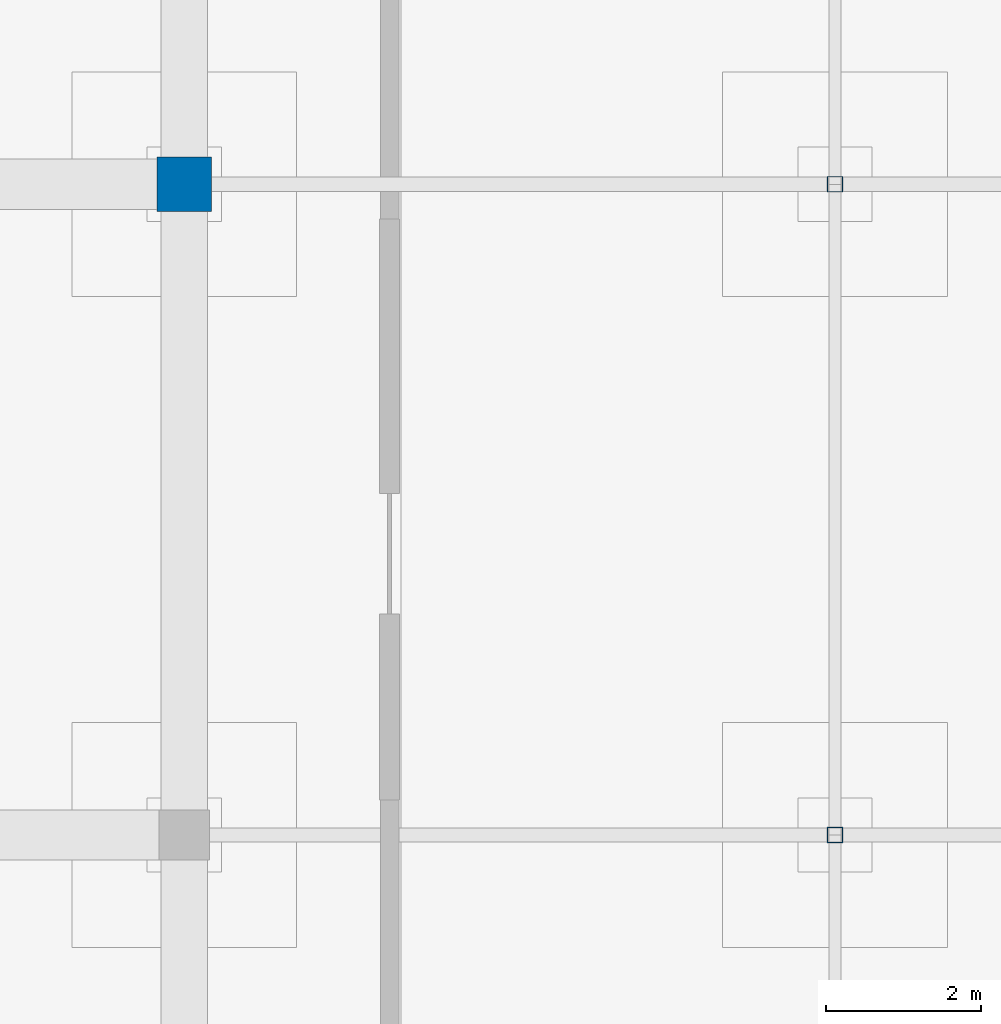
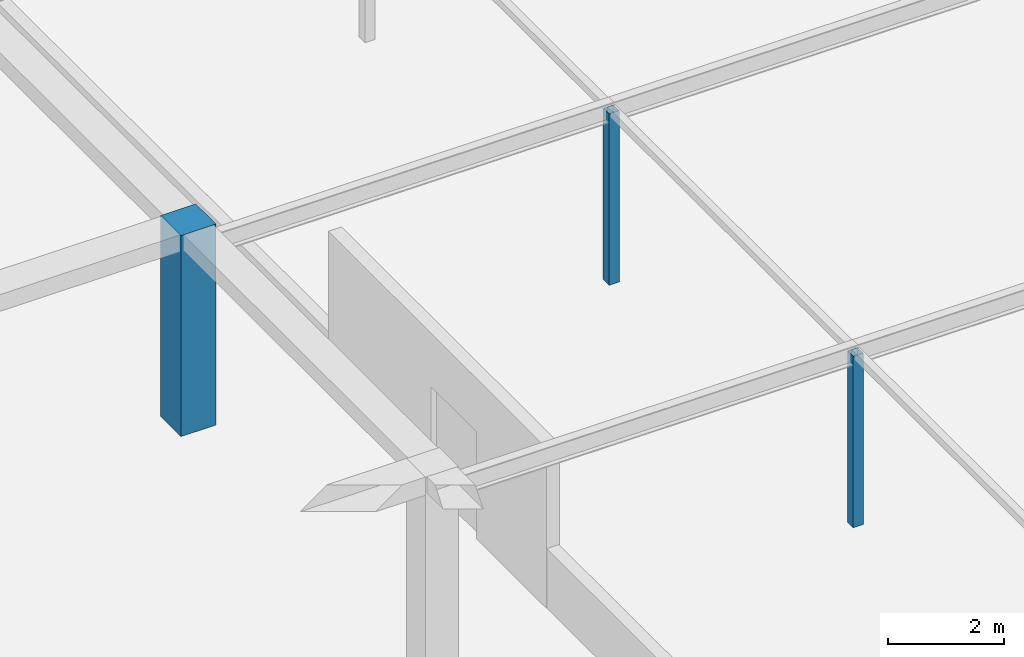
# One storey, part 4 of 85: 3 columns.
"""IFC4 building model written with IfcOpenShell, lengths in metres."""

from ifc_helpers import new_model, si_unit, direction, frame, origin, origin_2d, place, context, subcontext, project, spatial, rectangle, hollow_rectangle, extrude, material, material_profile, profile_set, type_object, element, save


model = new_model("IFC4")

# Units and contexts
model_context = context("Model", 3, precision=1e-05, world=origin(), true_north=direction((0.0, 1.0)))
body_context = subcontext(model_context, "Body", "Model", "MODEL_VIEW")
ifc_project = project(units=[si_unit("LENGTHUNIT", "METRE"), si_unit("AREAUNIT", "SQUARE_METRE"), si_unit("VOLUMEUNIT", "CUBIC_METRE"), si_unit("PLANEANGLEUNIT", "RADIAN"), si_unit("MASSUNIT", "GRAM", prefix="KILO")], contexts=[model_context])

# Site, building, storey
site_placement = place(None, origin())
site = spatial("IfcSite", under=ifc_project, at=site_placement, CompositionType="ELEMENT")
building_placement = place(site_placement, origin())
building = spatial("IfcBuilding", under=site, at=building_placement, Name="Almacenes y Pasaje Nevantli", CompositionType="ELEMENT")
storey_placement = place(building_placement, frame((0.0, 0.0, 22.199951171875)))
storey = spatial("IfcBuildingStorey", under=building, at=storey_placement, Name="L05", CompositionType="ELEMENT", Elevation=22.199951171875)

# Columns
ifc_material_1 = material(Name="Concrete C45/55", Category="concrete")
ifc_material_profile_1 = material_profile(ifc_material_1, rectangle(XDim=0.699951171875, YDim=0.699951171875, at=origin_2d()), Name="RC-COL-700x700")
ifc_profile_set_1 = profile_set([ifc_material_profile_1], Name="Concrete C45/55")
column_type_1 = type_object("IfcColumnType", Name="COL-RC-700", PredefinedType="COLUMN", material=ifc_profile_set_1)
column_placement = place(storey_placement, frame((109.199951171875, 42.0, 0.0), z_axis=(0.0, 0.0, 1.0), x_axis=(1.0, 0.0, 0.0)))
element("IfcColumn", 1, at=column_placement, inside=storey, type_object=column_type_1, Name="L05 Reinforced Concrete Column CL-06 #1951", PredefinedType="COLUMN", context=body_context, shape_type="SweptSolid", body=[
    extrude(rectangle(XDim=0.699951171875, YDim=0.699951171875, at=origin_2d()), origin(), (0.0, 0.0, 1.0), 4.219970703125),
])
ifc_material_2 = material(Name="Steel ASTM A500 Grade C", Category="steel")
ifc_material_profile_2 = material_profile(ifc_material_2, hollow_rectangle(XDim=0.203125, YDim=0.203125, WallThickness=0.009521484375, at=origin_2d()), Name="OR 203x203x9.5")
ifc_profile_set_2 = profile_set([ifc_material_profile_2], Name="Steel ASTM A500 Grade C")
column_type_2 = type_object("IfcColumnType", Name="COL-STL-OR203", PredefinedType="COLUMN", material=ifc_profile_set_2)
for number, where, z_axis, x_axis, name in (
    (2, (117.60009765625, 33.60009765625, 0.0), (0.0, 0.0, 1.0), (1.0, 0.0, 0.0), "L05 Ziggurat Terrace Pergola Steel Column #2046"),
    (3, (117.60009765625, 42.0, 0.0), (0.0, 0.0, 1.0), (1.0, 0.0, 0.0), "L05 Ziggurat Terrace Pergola Steel Column #2047"),
):
    element("IfcColumn", number, at=place(storey_placement, frame(where, z_axis=z_axis, x_axis=x_axis)), inside=storey, type_object=column_type_2, Name=name, PredefinedType="COLUMN", context=body_context, shape_type="SweptSolid", body=[
        extrude(hollow_rectangle(XDim=0.203125, YDim=0.203125, WallThickness=0.009521484375, at=origin_2d()), origin(), (0.0, 0.0, 1.0), 3.60009765625),
    ])

save(model, "model.ifc")
